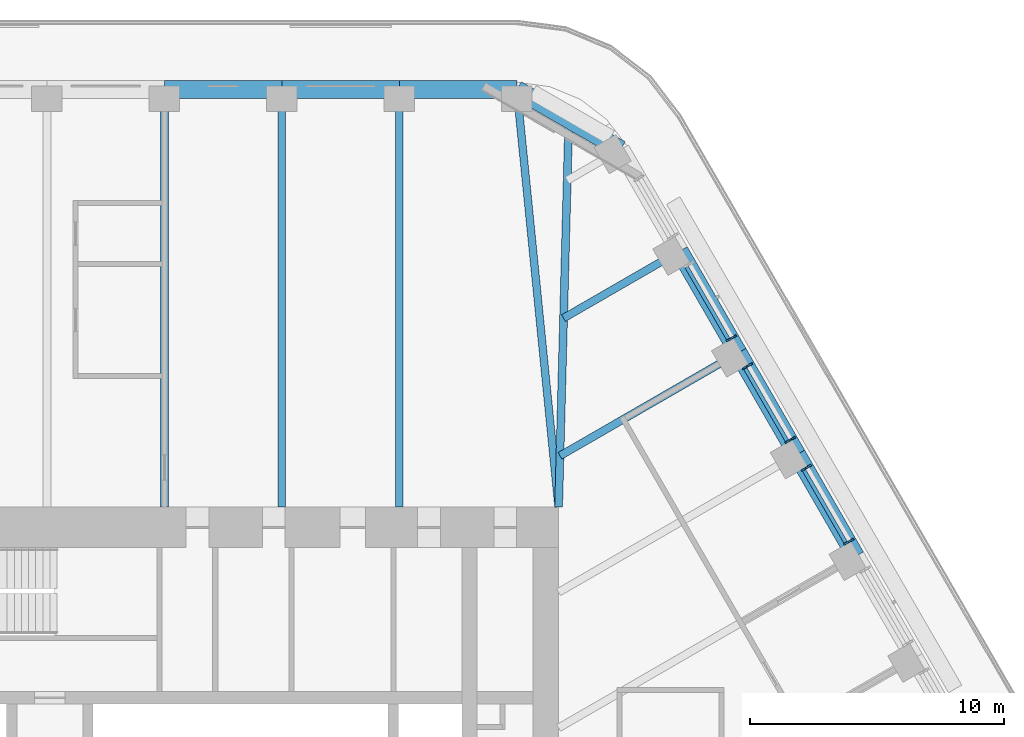
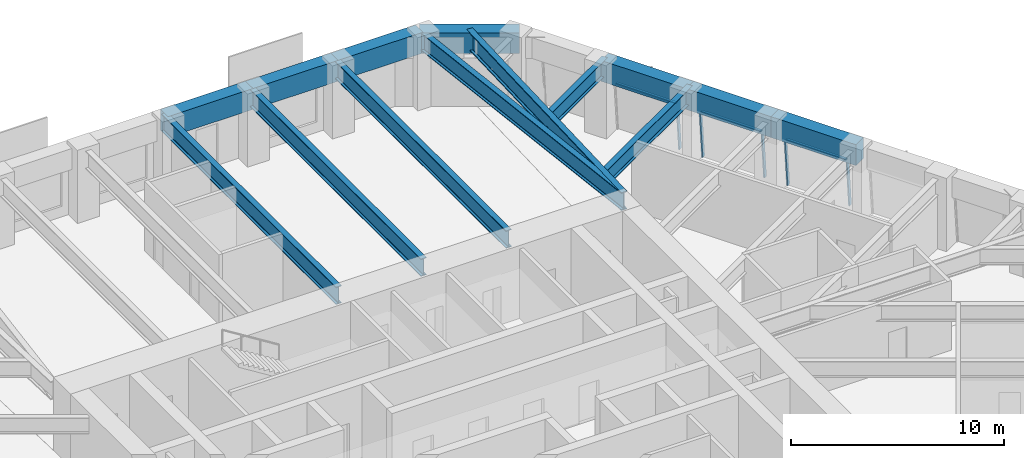
# One storey, part 11 of 20: 14 beams, 8 members, 3 elements without a shape of their own.
"""IFC4 building model written with IfcOpenShell, lengths in metres."""

import ifcopenshell
import ifcopenshell.guid

model = None  # the IFC model being written
_history = None  # IfcOwnerHistory: only IFC2X3 demands one
_inside = {}  # id of a spatial element -> (the spatial element, [elements in it])
_under = {}  # id of a project, library or spatial element -> (it, [spatial elements below it])
_declared = {}  # id of a project -> (the project, [libraries it declares])
_typed = {}  # id of a type object -> (the type object, [elements of that type])
_made_of = {}  # id of a material, layer set ... -> (it, [elements and type objects made of it])


def new_model(schema):
    """Start an empty IFC model of exactly this schema.

    Asked for "IFC4X3", IfcOpenShell would pick the latest addendum, in which some entities
    have other attributes; the version numbers below select the first issue.
    IFC2X3 requires an IfcOwnerHistory on every rooted entity: one is made here for all.
    """
    global model, _history
    if schema == "IFC4X3":
        model = ifcopenshell.file(schema_version=(4, 3, 0, 0))
    else:
        model = ifcopenshell.file(schema=schema)
    _inside.clear()
    _under.clear()
    _declared.clear()
    _typed.clear()
    _made_of.clear()
    _history = None
    if model.schema == "IFC2X3":
        org = make("IfcOrganization", Name="unknown")
        user = make(
            "IfcPersonAndOrganization",
            ThePerson=make("IfcPerson", FamilyName="unknown"),
            TheOrganization=org,
        )
        app = make(
            "IfcApplication",
            ApplicationDeveloper=org,
            Version="unknown",
            ApplicationFullName="unknown",
            ApplicationIdentifier="unknown",
        )
        _history = make(
            "IfcOwnerHistory",
            OwningUser=user,
            OwningApplication=app,
            ChangeAction="ADDED",
            CreationDate=0,
        )
    return model


def make(cls, **values):
    """One entity of the class cls with the attributes given. An attribute that is None is left unset."""
    return model.create_entity(
        cls, **{name: value for name, value in values.items() if value is not None}
    )


def rooted(cls, **values):
    """An entity with a GlobalId (a new one), such as an element, a storey or a relation."""
    return make(cls, GlobalId=ifcopenshell.guid.new(), OwnerHistory=_history, **values)


def si_unit(unit_type, name, prefix=None):
    """IfcSIUnit, for example si_unit("LENGTHUNIT", "METRE", prefix="MILLI")."""
    return make("IfcSIUnit", UnitType=unit_type, Prefix=prefix, Name=name)


def assignment(units):
    """IfcUnitAssignment: the units of a project."""
    return None if units is None else make("IfcUnitAssignment", Units=units)


def point(xyz):
    """IfcCartesianPoint."""
    return None if xyz is None else make("IfcCartesianPoint", Coordinates=xyz)


def direction(xyz):
    """IfcDirection."""
    return None if xyz is None else make("IfcDirection", DirectionRatios=xyz)


def frame(location, z_axis=None, x_axis=None):
    """IfcAxis2Placement3D, a coordinate frame: its origin and axes. An axis left out is left unset."""
    return make(
        "IfcAxis2Placement3D",
        Location=point(location),
        Axis=direction(z_axis),
        RefDirection=direction(x_axis),
    )


def frame_2d(location, x_axis=None):
    """IfcAxis2Placement2D, a coordinate frame in the plane: its origin and x axis."""
    return make(
        "IfcAxis2Placement2D", Location=point(location), RefDirection=direction(x_axis)
    )


def origin():
    """The frame at (0, 0, 0) with its axes left unset."""
    return frame((0.0, 0.0, 0.0))


def origin_2d():
    """The frame at (0, 0) in the plane with its x axis left unset."""
    return frame_2d((0.0, 0.0))


def place(relative_to, where):
    """IfcLocalPlacement: puts the frame where relative to a parent placement (None: the world)."""
    return make(
        "IfcLocalPlacement", PlacementRelTo=relative_to, RelativePlacement=where
    )


def context(
    kind, dimensions, precision=None, world=None, true_north=None, identifier=None
):
    """IfcGeometricRepresentationContext, for example the 3D "Model" context."""
    return make(
        "IfcGeometricRepresentationContext",
        ContextIdentifier=identifier,
        ContextType=kind,
        CoordinateSpaceDimension=dimensions,
        Precision=precision,
        WorldCoordinateSystem=world,
        TrueNorth=true_north,
    )


def subcontext(parent, identifier, kind, view, scale=None):
    """IfcGeometricRepresentationSubContext, for example "Body" below "Model"."""
    return make(
        "IfcGeometricRepresentationSubContext",
        ContextIdentifier=identifier,
        ContextType=kind,
        ParentContext=parent,
        TargetScale=scale,
        TargetView=view,
    )


def project(units=None, contexts=None):
    """IfcProject with its units and contexts."""
    return rooted(
        "IfcProject",
        Name="project",
        RepresentationContexts=contexts,
        UnitsInContext=assignment(units),
    )


def spatial(cls, under=None, at=None, **own):
    """A site, building, storey or space (cls), placed at a placement, below another one or the project."""
    s = rooted(cls, ObjectPlacement=at, **own)
    if under is not None:
        _under.setdefault(under.id(), (under, []))[1].append(s)
    return s


def profile(cls, at=None, kind="AREA", **sizes):
    """A parametric profile (cls). Its sizes go by their IFC names, for example OverallWidth=200.0."""
    return make(cls, ProfileType=kind, Position=at, **sizes)


def rectangle(**sizes):
    """IfcRectangleProfileDef."""
    return profile("IfcRectangleProfileDef", **sizes)


def i_section(**sizes):
    """IfcIShapeProfileDef."""
    return profile("IfcIShapeProfileDef", **sizes)


def extrude(swept, where, along, depth):
    """IfcExtrudedAreaSolid: the profile swept, set in the frame where, extruded along a direction by depth."""
    return make(
        "IfcExtrudedAreaSolid",
        SweptArea=swept,
        Position=where,
        ExtrudedDirection=direction(along),
        Depth=depth,
    )


def shape(context_of_items, identifier, shape_type, items):
    """IfcShapeRepresentation: the items that make up one representation, for example the "Body"."""
    return make(
        "IfcShapeRepresentation",
        ContextOfItems=context_of_items,
        RepresentationIdentifier=identifier,
        RepresentationType=shape_type,
        Items=items,
    )


def material(Name=None, Category=None):
    """IfcMaterial."""
    return make("IfcMaterial", Name=Name, Category=Category)


def material_profile(
    of_material, cross_section, Name=None, Category=None, Priority=None
):
    """IfcMaterialProfile: a cross section and its material."""
    return make(
        "IfcMaterialProfile",
        Name=Name,
        Material=of_material,
        Profile=cross_section,
        Priority=Priority,
        Category=Category,
    )


def profile_set(profiles, Name=None, composite=None):
    """IfcMaterialProfileSet."""
    return make(
        "IfcMaterialProfileSet",
        Name=Name,
        MaterialProfiles=profiles,
        CompositeProfile=composite,
    )


def made_of(thing, what):
    """Note that an element or type object is made of a material, layer set ...; save() writes the relation."""
    if what is not None:
        _made_of.setdefault(what.id(), (what, []))[1].append(thing)
    return thing


def type_object(cls, material=None, **own):
    """A type object (cls), such as IfcWallType, which elements share."""
    return made_of(rooted(cls, **own), material)


def element(
    cls,
    number,
    at=None,
    inside=None,
    cuts=None,
    type_object=None,
    material=None,
    context=None,
    identifier="Body",
    shape_type=None,
    held_by="IfcProductDefinitionShape",
    body=None,
    shapes=None,
    **own,
):
    """One element of the class cls, such as IfcWall. Its Tag is "e" and its number.

    at: its placement. inside: the storey or other place that contains it. cuts: it is an
    opening in that element (IfcRelVoidsElement). A single representation is given by context,
    identifier, shape_type and body (its items); several are given by shapes. held_by: the class
    of the entity that holds the representations. save() writes the other relations.
    """
    e = rooted(cls, Tag="e%d" % number, ObjectPlacement=at, **own)
    if body is not None:
        shapes = [shape(context, identifier, shape_type, body)]
    if shapes is not None:
        e.Representation = make(held_by, Representations=shapes)
    if inside is not None:
        _inside.setdefault(inside.id(), (inside, []))[1].append(e)
    if cuts is not None:
        rooted(
            "IfcRelVoidsElement", RelatingBuildingElement=cuts, RelatedOpeningElement=e
        )
    if type_object is not None:
        _typed.setdefault(type_object.id(), (type_object, []))[1].append(e)
    return made_of(e, material)


def aggregate(whole, parts):
    """IfcRelAggregates: a whole, such as a stair, and the parts it consists of."""
    return rooted("IfcRelAggregates", RelatingObject=whole, RelatedObjects=parts)


def save(model, path):
    """Write the relations noted so far, then the file.

    IfcRelAggregates (storeys below a building ...), IfcRelContainedInSpatialStructure (elements
    in a storey), IfcRelDefinesByType, IfcRelAssociatesMaterial and IfcRelDeclares: one each for
    every whole, place, type object, material and project.
    """
    for whole, parts in _under.values():
        aggregate(whole, parts)
    for where, things in _inside.values():
        rooted(
            "IfcRelContainedInSpatialStructure",
            RelatedElements=things,
            RelatingStructure=where,
        )
    for kind, things in _typed.values():
        rooted("IfcRelDefinesByType", RelatedObjects=things, RelatingType=kind)
    for what, things in _made_of.values():
        rooted("IfcRelAssociatesMaterial", RelatedObjects=things, RelatingMaterial=what)
    for by, libraries in _declared.values():
        rooted("IfcRelDeclares", RelatingContext=by, RelatedDefinitions=libraries)
    model.write(path)


model = new_model("IFC4")

# Units and contexts
model_context = context("Model", 3, precision=1e-05, world=origin(), true_north=direction((0.0, 1.0)))
body_context = subcontext(model_context, "Body", "Model", "MODEL_VIEW")
ifc_project = project(units=[si_unit("LENGTHUNIT", "METRE"), si_unit("AREAUNIT", "SQUARE_METRE"), si_unit("VOLUMEUNIT", "CUBIC_METRE"), si_unit("PLANEANGLEUNIT", "RADIAN"), si_unit("MASSUNIT", "GRAM", prefix="KILO")], contexts=[model_context])

# Site, building, storey
site_placement = place(None, origin())
site = spatial("IfcSite", under=ifc_project, at=site_placement, CompositionType="ELEMENT")
building_placement = place(site_placement, origin())
building = spatial("IfcBuilding", under=site, at=building_placement, Name="Tarfa Lantern Tower", CompositionType="ELEMENT")
storey_placement = place(building_placement, frame((0.0, 0.0, 257.5)))
storey = spatial("IfcBuildingStorey", under=building, at=storey_placement, Name="L58", CompositionType="ELEMENT", Elevation=257.5)

# Curtain wall, members
ifc_material_1 = material(Name="Aluminium framed curtain wall", Category="aluminium")
curtain_wall_type = type_object("IfcCurtainWallType", Name="CW3 CANTED GLAZING HIGH ZONE 2800", PredefinedType="USERDEFINED", material=ifc_material_1)
curtain_wall_1_placement = place(storey_placement, origin())
curtain_wall_1 = element("IfcCurtainWall", 1, at=curtain_wall_1_placement, inside=storey, type_object=curtain_wall_type, Name="CW3 NE L58", ObjectType="CURTAIN WALL", PredefinedType="USERDEFINED")
ifc_material_2 = material(Name="Aluminium mullion", Category="aluminium")
ifc_material_profile_1 = material_profile(ifc_material_2, rectangle(XDim=0.06494140625, YDim=0.199951171875, at=origin_2d()), Name="AL MULLION 65x200")
ifc_profile_set_1 = profile_set([ifc_material_profile_1], Name="Aluminium mullion")
member_type_1 = type_object("IfcMemberType", Name="CWM1 MULLION 65x200", PredefinedType="MULLION", material=ifc_profile_set_1)
member_1_placement = place(storey_placement, frame((27.021240234375, 10.997802734375, 0.0), z_axis=(-0.077032386753, -0.044465143199, 0.996036576854), x_axis=(0.499919672301, -0.866071776036, 0.0)))
member_1 = element("IfcMember", 2, at=member_1_placement, type_object=member_type_1, Name="CW3 mullion 1", PredefinedType="MULLION", context=body_context, shape_type="SweptSolid", body=[
    extrude(rectangle(XDim=0.06494140625, YDim=0.199951171875, at=origin_2d()), origin(), (0.0, 0.0, 1.0), 2.811279296875),
])
member_2_placement = place(storey_placement, frame((25.344482421875, 13.90234375, 0.0), z_axis=(-0.077032386753, -0.044465143199, 0.996036576854), x_axis=(0.499919672301, -0.866071776036, 0.0)))
member_2 = element("IfcMember", 3, at=member_2_placement, type_object=member_type_1, Name="CW3 mullion 2", PredefinedType="MULLION", context=body_context, shape_type="SweptSolid", body=[
    extrude(rectangle(XDim=0.06494140625, YDim=0.199951171875, at=origin_2d()), origin(), (0.0, 0.0, 1.0), 2.811279296875),
])

curtain_wall_2_placement = place(storey_placement, origin())
curtain_wall_2 = element("IfcCurtainWall", 4, at=curtain_wall_2_placement, inside=storey, type_object=curtain_wall_type, Name="CW3 NE L58", ObjectType="CURTAIN WALL", PredefinedType="USERDEFINED")
member_3_placement = place(storey_placement, frame((24.7119140625, 14.997802734375, 0.0), z_axis=(-0.077032386753, -0.044465143199, 0.996036576854), x_axis=(0.499919672301, -0.866071776036, 0.0)))
member_3 = element("IfcMember", 5, at=member_3_placement, type_object=member_type_1, Name="CW3 mullion 1", PredefinedType="MULLION", context=body_context, shape_type="SweptSolid", body=[
    extrude(rectangle(XDim=0.06494140625, YDim=0.199951171875, at=origin_2d()), origin(), (0.0, 0.0, 1.0), 2.811279296875),
])
member_4_placement = place(storey_placement, frame((23.034912109375, 17.90234375, 0.0), z_axis=(-0.077032386753, -0.044465143199, 0.996036576854), x_axis=(0.499919672301, -0.866071776036, 0.0)))
member_4 = element("IfcMember", 6, at=member_4_placement, type_object=member_type_1, Name="CW3 mullion 2", PredefinedType="MULLION", context=body_context, shape_type="SweptSolid", body=[
    extrude(rectangle(XDim=0.06494140625, YDim=0.199951171875, at=origin_2d()), origin(), (0.0, 0.0, 1.0), 2.811279296875),
])

# Curtain wall, member
curtain_wall_3_placement = place(storey_placement, origin())
curtain_wall_3 = element("IfcCurtainWall", 7, at=curtain_wall_3_placement, inside=storey, type_object=curtain_wall_type, Name="CW3 NE L58", ObjectType="CURTAIN WALL", PredefinedType="USERDEFINED")
member_5_placement = place(storey_placement, frame((22.402587890625, 18.997802734375, 0.0), z_axis=(-0.077032386753, -0.044465143199, 0.996036576854), x_axis=(0.499919672301, -0.866071776036, 0.0)))
member_5 = element("IfcMember", 8, at=member_5_placement, type_object=member_type_1, Name="CW3 mullion 1", PredefinedType="MULLION", context=body_context, shape_type="SweptSolid", body=[
    extrude(rectangle(XDim=0.06494140625, YDim=0.199951171875, at=origin_2d()), origin(), (0.0, 0.0, 1.0), 2.811279296875),
])

# Member
ifc_material_3 = material(Name="Aluminium transom", Category="aluminium")
ifc_material_profile_2 = material_profile(ifc_material_3, rectangle(XDim=0.14990234375, YDim=0.06494140625, at=origin_2d()), Name="AL TRANSOM 150x65")
ifc_profile_set_2 = profile_set([ifc_material_profile_2], Name="Aluminium transom")
member_type_2 = type_object("IfcMemberType", Name="CWT1 TRANSOM 150x65", PredefinedType="USERDEFINED", material=ifc_profile_set_2)
member_6_placement = place(storey_placement, frame((26.791015625, 10.90234375, 2.767578125), z_axis=(-0.499979497339, 0.866037240677, 0.0), x_axis=(-0.866037240677, -0.499979497339, 0.0)))
member_6 = element("IfcMember", 9, at=member_6_placement, type_object=member_type_2, Name="CW3 transom 1.2", ObjectType="TRANSOM", PredefinedType="USERDEFINED", context=body_context, shape_type="SweptSolid", body=[
    extrude(rectangle(XDim=0.14990234375, YDim=0.06494140625, at=origin_2d()), origin(), (0.0, 0.0, 1.0), 3.288818359375),
])

aggregate(curtain_wall_1, [member_1, member_2, member_6])

member_7_placement = place(storey_placement, frame((24.481689453125, 14.90234375, 2.767578125), z_axis=(-0.500035172766, 0.866005095826, 0.0), x_axis=(-0.866005095826, -0.500035172766, 0.0)))
member_7 = element("IfcMember", 10, at=member_7_placement, type_object=member_type_2, Name="CW3 transom 1.2", ObjectType="TRANSOM", PredefinedType="USERDEFINED", context=body_context, shape_type="SweptSolid", body=[
    extrude(rectangle(XDim=0.14990234375, YDim=0.06494140625, at=origin_2d()), origin(), (0.0, 0.0, 1.0), 3.288818359375),
])

aggregate(curtain_wall_2, [member_3, member_4, member_7])

member_8_placement = place(storey_placement, frame((22.172119140625, 18.90234375, 2.767578125), z_axis=(-0.499979497339, 0.866037240677, 0.0), x_axis=(-0.866037240677, -0.499979497339, 0.0)))
member_8 = element("IfcMember", 11, at=member_8_placement, type_object=member_type_2, Name="CW3 transom 1.2", ObjectType="TRANSOM", PredefinedType="USERDEFINED", context=body_context, shape_type="SweptSolid", body=[
    extrude(rectangle(XDim=0.14990234375, YDim=0.06494140625, at=origin_2d()), origin(), (0.0, 0.0, 1.0), 3.288818359375),
])

aggregate(curtain_wall_3, [member_5, member_8])

# Beams
ifc_material_4 = material(Name="Concrete C80/95", Category="concrete")
ifc_material_profile_3 = material_profile(ifc_material_4, rectangle(XDim=0.699951171875, YDim=1.199951171875, at=origin_2d()), Name="RC 700x1200")
ifc_profile_set_3 = profile_set([ifc_material_profile_3], Name="Concrete C80/95")
beam_type_1 = type_object("IfcBeamType", Name="EB3 RC 700x1200", PredefinedType="SPANDREL", material=ifc_profile_set_3)
beam_1_placement = place(storey_placement, frame((27.181640625, 10.360107421875, 3.39990234375), z_axis=(-0.499987836815, 0.866032426089, 0.0), x_axis=(-0.866032426089, -0.499987836815, 0.0)))
element("IfcBeam", 12, at=beam_1_placement, inside=storey, type_object=beam_type_1, Name="Edge beam NE2", PredefinedType="SPANDREL", context=body_context, shape_type="SweptSolid", body=[
    extrude(rectangle(XDim=0.699951171875, YDim=1.199951171875, at=origin_2d()), origin(), (0.0, 0.0, 1.0), 4.61865234375),
])
beam_2_placement = place(storey_placement, frame((24.872314453125, 14.360107421875, 3.39990234375), z_axis=(-0.500027479704, 0.866009537788, 0.0), x_axis=(-0.866009537788, -0.500027479704, 0.0)))
element("IfcBeam", 13, at=beam_2_placement, inside=storey, type_object=beam_type_1, Name="Edge beam NE3", PredefinedType="SPANDREL", context=body_context, shape_type="SweptSolid", body=[
    extrude(rectangle(XDim=0.699951171875, YDim=1.199951171875, at=origin_2d()), origin(), (0.0, 0.0, 1.0), 4.618896484375),
])
beam_3_placement = place(storey_placement, frame((22.562744140625, 18.360107421875, 3.39990234375), z_axis=(-0.499987836815, 0.866032426089, 0.0), x_axis=(-0.866032426089, -0.499987836815, 0.0)))
element("IfcBeam", 14, at=beam_3_placement, inside=storey, type_object=beam_type_1, Name="Edge beam NE4", PredefinedType="SPANDREL", context=body_context, shape_type="SweptSolid", body=[
    extrude(rectangle(XDim=0.699951171875, YDim=1.199951171875, at=origin_2d()), origin(), (0.0, 0.0, 1.0), 4.61865234375),
])
beam_4_placement = place(storey_placement, frame((17.944091796875, 26.360107421875, 3.39990234375), z_axis=(-0.866038294681, 0.499977671647, 0.0), x_axis=(-0.499977671647, -0.866038294681, 0.0)))
element("IfcBeam", 15, at=beam_4_placement, inside=storey, type_object=beam_type_1, Name="Edge beam NE6", PredefinedType="SPANDREL", context=body_context, shape_type="SweptSolid", body=[
    extrude(rectangle(XDim=0.699951171875, YDim=1.199951171875, at=origin_2d()), origin(), (0.0, 0.0, 1.0), 4.719970703125),
])
beam_5_placement = place(storey_placement, frame((13.8564453125, 28.719970703125, 3.39990234375), z_axis=(-1.0, 0.0, 0.0), x_axis=(0.0, -1.0, 0.0)))
element("IfcBeam", 16, at=beam_5_placement, inside=storey, type_object=beam_type_1, Name="Edge beam N0", PredefinedType="SPANDREL", context=body_context, shape_type="SweptSolid", body=[
    extrude(rectangle(XDim=0.699951171875, YDim=1.199951171875, at=origin_2d()), origin(), (0.0, 0.0, 1.0), 4.618896484375),
])
beam_6_placement = place(storey_placement, frame((9.237548828125, 28.719970703125, 3.39990234375), z_axis=(-1.0, 0.0, 0.0), x_axis=(0.0, -1.0, 0.0)))
element("IfcBeam", 17, at=beam_6_placement, inside=storey, type_object=beam_type_1, Name="Edge beam N1", PredefinedType="SPANDREL", context=body_context, shape_type="SweptSolid", body=[
    extrude(rectangle(XDim=0.699951171875, YDim=1.199951171875, at=origin_2d()), origin(), (0.0, 0.0, 1.0), 4.61865234375),
])
beam_7_placement = place(storey_placement, frame((4.618896484375, 28.719970703125, 3.39990234375), z_axis=(-1.0, 0.0, 0.0), x_axis=(0.0, -1.0, 0.0)))
element("IfcBeam", 18, at=beam_7_placement, inside=storey, type_object=beam_type_1, Name="Edge beam N2", PredefinedType="SPANDREL", context=body_context, shape_type="SweptSolid", body=[
    extrude(rectangle(XDim=0.699951171875, YDim=1.199951171875, at=origin_2d()), origin(), (0.0, 0.0, 1.0), 4.618896484375),
])
ifc_material_5 = material(Name="Steel S460M", Category="steel")
ifc_material_profile_4 = material_profile(ifc_material_5, i_section(OverallWidth=0.302001953125, OverallDepth=1.008056640625, WebThickness=0.02099609375, FlangeThickness=0.0400390625, FilletRadius=0.030029296875, at=origin_2d()), Name="UB1016x305x349")
ifc_profile_set_4 = profile_set([ifc_material_profile_4], Name="Steel S460M")
beam_type_2 = type_object("IfcBeamType", Name="UB1016x305x349", PredefinedType="BEAM", material=ifc_profile_set_4)
beam_8_placement = place(storey_placement, frame((13.8564453125, 28.719970703125, 3.495849609375), z_axis=(0.099597466746, -0.995027810977, 0.0), x_axis=(0.995027810977, 0.099597466746, 0.0)))
element("IfcBeam", 19, at=beam_8_placement, inside=storey, type_object=beam_type_2, Name="Floor beam N0", PredefinedType="BEAM", context=body_context, shape_type="SweptSolid", body=[
    extrude(i_section(OverallWidth=0.302001953125, OverallDepth=1.008056640625, WebThickness=0.02099609375, FlangeThickness=0.0400390625, FilletRadius=0.030029296875, at=origin_2d()), origin(), (0.0, 0.0, 1.0), 16.501953125),
])
for number, where, z_axis, x_axis, name in (
    (20, (9.237548828125, 28.719970703125, 3.495849609375), (0.0, -1.0, 0.0), (1.0, 0.0, 0.0), "Floor beam N1"),
    (21, (4.618896484375, 28.719970703125, 3.495849609375), (0.0, -1.0, 0.0), (1.0, 0.0, 0.0), "Floor beam N2"),
    (22, (0.0, 28.719970703125, 3.495849609375), (0.0, -1.0, 0.0), (1.0, 0.0, 0.0), "Floor beam N3"),
):
    element("IfcBeam", number, at=place(storey_placement, frame(where, z_axis=z_axis, x_axis=x_axis)), inside=storey, type_object=beam_type_2, Name=name, PredefinedType="BEAM", context=body_context, shape_type="SweptSolid", body=[
        extrude(i_section(OverallWidth=0.302001953125, OverallDepth=1.008056640625, WebThickness=0.02099609375, FlangeThickness=0.0400390625, FilletRadius=0.030029296875, at=origin_2d()), origin(), (0.0, 0.0, 1.0), 16.419921875),
    ])
ifc_material_profile_5 = material_profile(ifc_material_5, i_section(OverallWidth=0.30859375, OverallDepth=1.036376953125, WebThickness=0.030029296875, FlangeThickness=0.05419921875, FilletRadius=0.030029296875, at=origin_2d()), Name="UB1016x305x487")
ifc_profile_set_5 = profile_set([ifc_material_profile_5], Name="Steel S460M")
beam_type_3 = type_object("IfcBeamType", Name="UB1016x305x487", PredefinedType="BEAM", material=ifc_profile_set_5)
beam_9_placement = place(storey_placement, frame((15.5, 12.300048828125, 3.48193359375), z_axis=(0.026247301989, 0.999655480222, 0.0), x_axis=(-0.999655480222, 0.026247301989, 0.0)))
element("IfcBeam", 23, at=beam_9_placement, inside=storey, type_object=beam_type_3, Name="Hip girder NE", PredefinedType="BEAM", context=body_context, shape_type="SweptSolid", body=[
    extrude(i_section(OverallWidth=0.30859375, OverallDepth=1.036376953125, WebThickness=0.030029296875, FlangeThickness=0.05419921875, FilletRadius=0.030029296875, at=origin_2d()), origin(), (0.0, 0.0, 1.0), 15.245361328125),
])
ifc_material_profile_6 = material_profile(ifc_material_5, i_section(OverallWidth=0.305419921875, OverallDepth=0.91845703125, WebThickness=0.017333984375, FlangeThickness=0.02783203125, FilletRadius=0.01904296875, at=origin_2d()), Name="UB914x305x253")
ifc_profile_set_6 = profile_set([ifc_material_profile_6], Name="Steel S460M")
beam_type_4 = type_object("IfcBeamType", Name="UB914x305x253", PredefinedType="BEAM", material=ifc_profile_set_6)
beam_10_placement = place(storey_placement, frame((22.562744140625, 18.360107421875, 3.540771484375), z_axis=(-0.866010787764, -0.500025314835, 0.0), x_axis=(0.500025314835, -0.866010787764, 0.0)))
element("IfcBeam", 24, at=beam_10_placement, inside=storey, type_object=beam_type_4, Name="Floor beam NE4", PredefinedType="BEAM", context=body_context, shape_type="SweptSolid", body=[
    extrude(i_section(OverallWidth=0.305419921875, OverallDepth=0.91845703125, WebThickness=0.017333984375, FlangeThickness=0.02783203125, FilletRadius=0.01904296875, at=origin_2d()), origin(), (0.0, 0.0, 1.0), 8.09423828125),
])
beam_11_placement = place(storey_placement, frame((20.25341796875, 22.360107421875, 3.540771484375), z_axis=(-0.86601951648, -0.500010196972, 0.0), x_axis=(0.500010196972, -0.86601951648, 0.0)))
element("IfcBeam", 25, at=beam_11_placement, inside=storey, type_object=beam_type_4, Name="Floor beam NE5", PredefinedType="BEAM", context=body_context, shape_type="SweptSolid", body=[
    extrude(i_section(OverallWidth=0.305419921875, OverallDepth=0.91845703125, WebThickness=0.017333984375, FlangeThickness=0.02783203125, FilletRadius=0.01904296875, at=origin_2d()), origin(), (0.0, 0.0, 1.0), 5.263671875),
])

save(model, "model.ifc")
